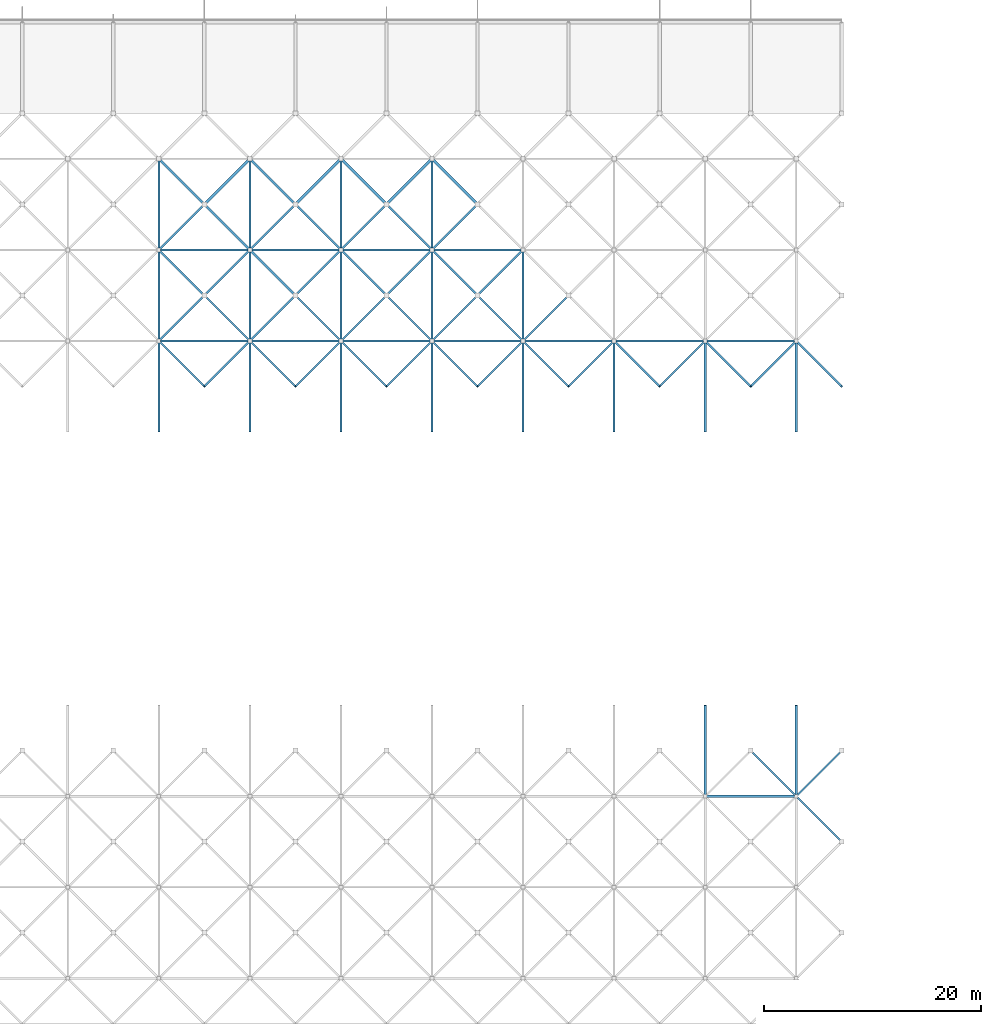
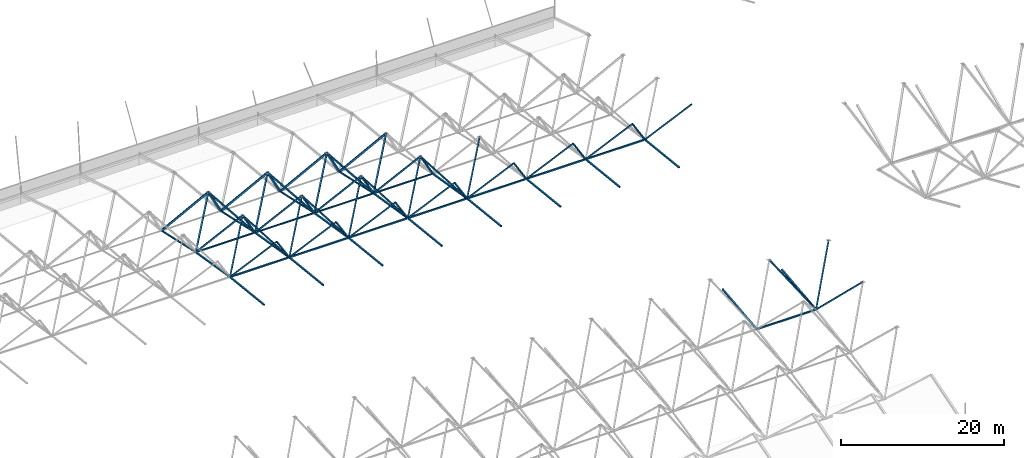
# One storey, part 21 of 85: 80 members.
"""IFC4 building model written with IfcOpenShell, lengths in metres."""

import ifcopenshell
import ifcopenshell.guid

model = None  # the IFC model being written
_history = None  # IfcOwnerHistory: only IFC2X3 demands one
_inside = {}  # id of a spatial element -> (the spatial element, [elements in it])
_under = {}  # id of a project, library or spatial element -> (it, [spatial elements below it])
_declared = {}  # id of a project -> (the project, [libraries it declares])
_typed = {}  # id of a type object -> (the type object, [elements of that type])
_made_of = {}  # id of a material, layer set ... -> (it, [elements and type objects made of it])


def new_model(schema):
    """Start an empty IFC model of exactly this schema.

    Asked for "IFC4X3", IfcOpenShell would pick the latest addendum, in which some entities
    have other attributes; the version numbers below select the first issue.
    IFC2X3 requires an IfcOwnerHistory on every rooted entity: one is made here for all.
    """
    global model, _history
    if schema == "IFC4X3":
        model = ifcopenshell.file(schema_version=(4, 3, 0, 0))
    else:
        model = ifcopenshell.file(schema=schema)
    _inside.clear()
    _under.clear()
    _declared.clear()
    _typed.clear()
    _made_of.clear()
    _history = None
    if model.schema == "IFC2X3":
        org = make("IfcOrganization", Name="unknown")
        user = make(
            "IfcPersonAndOrganization",
            ThePerson=make("IfcPerson", FamilyName="unknown"),
            TheOrganization=org,
        )
        app = make(
            "IfcApplication",
            ApplicationDeveloper=org,
            Version="unknown",
            ApplicationFullName="unknown",
            ApplicationIdentifier="unknown",
        )
        _history = make(
            "IfcOwnerHistory",
            OwningUser=user,
            OwningApplication=app,
            ChangeAction="ADDED",
            CreationDate=0,
        )
    return model


def make(cls, **values):
    """One entity of the class cls with the attributes given. An attribute that is None is left unset."""
    return model.create_entity(
        cls, **{name: value for name, value in values.items() if value is not None}
    )


def rooted(cls, **values):
    """An entity with a GlobalId (a new one), such as an element, a storey or a relation."""
    return make(cls, GlobalId=ifcopenshell.guid.new(), OwnerHistory=_history, **values)


def si_unit(unit_type, name, prefix=None):
    """IfcSIUnit, for example si_unit("LENGTHUNIT", "METRE", prefix="MILLI")."""
    return make("IfcSIUnit", UnitType=unit_type, Prefix=prefix, Name=name)


def assignment(units):
    """IfcUnitAssignment: the units of a project."""
    return None if units is None else make("IfcUnitAssignment", Units=units)


def point(xyz):
    """IfcCartesianPoint."""
    return None if xyz is None else make("IfcCartesianPoint", Coordinates=xyz)


def direction(xyz):
    """IfcDirection."""
    return None if xyz is None else make("IfcDirection", DirectionRatios=xyz)


def frame(location, z_axis=None, x_axis=None):
    """IfcAxis2Placement3D, a coordinate frame: its origin and axes. An axis left out is left unset."""
    return make(
        "IfcAxis2Placement3D",
        Location=point(location),
        Axis=direction(z_axis),
        RefDirection=direction(x_axis),
    )


def frame_2d(location, x_axis=None):
    """IfcAxis2Placement2D, a coordinate frame in the plane: its origin and x axis."""
    return make(
        "IfcAxis2Placement2D", Location=point(location), RefDirection=direction(x_axis)
    )


def origin():
    """The frame at (0, 0, 0) with its axes left unset."""
    return frame((0.0, 0.0, 0.0))


def origin_2d():
    """The frame at (0, 0) in the plane with its x axis left unset."""
    return frame_2d((0.0, 0.0))


def place(relative_to, where):
    """IfcLocalPlacement: puts the frame where relative to a parent placement (None: the world)."""
    return make(
        "IfcLocalPlacement", PlacementRelTo=relative_to, RelativePlacement=where
    )


def context(
    kind, dimensions, precision=None, world=None, true_north=None, identifier=None
):
    """IfcGeometricRepresentationContext, for example the 3D "Model" context."""
    return make(
        "IfcGeometricRepresentationContext",
        ContextIdentifier=identifier,
        ContextType=kind,
        CoordinateSpaceDimension=dimensions,
        Precision=precision,
        WorldCoordinateSystem=world,
        TrueNorth=true_north,
    )


def subcontext(parent, identifier, kind, view, scale=None):
    """IfcGeometricRepresentationSubContext, for example "Body" below "Model"."""
    return make(
        "IfcGeometricRepresentationSubContext",
        ContextIdentifier=identifier,
        ContextType=kind,
        ParentContext=parent,
        TargetScale=scale,
        TargetView=view,
    )


def project(units=None, contexts=None):
    """IfcProject with its units and contexts."""
    return rooted(
        "IfcProject",
        Name="project",
        RepresentationContexts=contexts,
        UnitsInContext=assignment(units),
    )


def spatial(cls, under=None, at=None, **own):
    """A site, building, storey or space (cls), placed at a placement, below another one or the project."""
    s = rooted(cls, ObjectPlacement=at, **own)
    if under is not None:
        _under.setdefault(under.id(), (under, []))[1].append(s)
    return s


def profile(cls, at=None, kind="AREA", **sizes):
    """A parametric profile (cls). Its sizes go by their IFC names, for example OverallWidth=200.0."""
    return make(cls, ProfileType=kind, Position=at, **sizes)


def hollow_rectangle(**sizes):
    """IfcRectangleHollowProfileDef."""
    return profile("IfcRectangleHollowProfileDef", **sizes)


def extrude(swept, where, along, depth):
    """IfcExtrudedAreaSolid: the profile swept, set in the frame where, extruded along a direction by depth."""
    return make(
        "IfcExtrudedAreaSolid",
        SweptArea=swept,
        Position=where,
        ExtrudedDirection=direction(along),
        Depth=depth,
    )


def shape(context_of_items, identifier, shape_type, items):
    """IfcShapeRepresentation: the items that make up one representation, for example the "Body"."""
    return make(
        "IfcShapeRepresentation",
        ContextOfItems=context_of_items,
        RepresentationIdentifier=identifier,
        RepresentationType=shape_type,
        Items=items,
    )


def material(Name=None, Category=None):
    """IfcMaterial."""
    return make("IfcMaterial", Name=Name, Category=Category)


def material_profile(
    of_material, cross_section, Name=None, Category=None, Priority=None
):
    """IfcMaterialProfile: a cross section and its material."""
    return make(
        "IfcMaterialProfile",
        Name=Name,
        Material=of_material,
        Profile=cross_section,
        Priority=Priority,
        Category=Category,
    )


def profile_set(profiles, Name=None, composite=None):
    """IfcMaterialProfileSet."""
    return make(
        "IfcMaterialProfileSet",
        Name=Name,
        MaterialProfiles=profiles,
        CompositeProfile=composite,
    )


def made_of(thing, what):
    """Note that an element or type object is made of a material, layer set ...; save() writes the relation."""
    if what is not None:
        _made_of.setdefault(what.id(), (what, []))[1].append(thing)
    return thing


def type_object(cls, material=None, **own):
    """A type object (cls), such as IfcWallType, which elements share."""
    return made_of(rooted(cls, **own), material)


def element(
    cls,
    number,
    at=None,
    inside=None,
    cuts=None,
    type_object=None,
    material=None,
    context=None,
    identifier="Body",
    shape_type=None,
    held_by="IfcProductDefinitionShape",
    body=None,
    shapes=None,
    **own,
):
    """One element of the class cls, such as IfcWall. Its Tag is "e" and its number.

    at: its placement. inside: the storey or other place that contains it. cuts: it is an
    opening in that element (IfcRelVoidsElement). A single representation is given by context,
    identifier, shape_type and body (its items); several are given by shapes. held_by: the class
    of the entity that holds the representations. save() writes the other relations.
    """
    e = rooted(cls, Tag="e%d" % number, ObjectPlacement=at, **own)
    if body is not None:
        shapes = [shape(context, identifier, shape_type, body)]
    if shapes is not None:
        e.Representation = make(held_by, Representations=shapes)
    if inside is not None:
        _inside.setdefault(inside.id(), (inside, []))[1].append(e)
    if cuts is not None:
        rooted(
            "IfcRelVoidsElement", RelatingBuildingElement=cuts, RelatedOpeningElement=e
        )
    if type_object is not None:
        _typed.setdefault(type_object.id(), (type_object, []))[1].append(e)
    return made_of(e, material)


def aggregate(whole, parts):
    """IfcRelAggregates: a whole, such as a stair, and the parts it consists of."""
    return rooted("IfcRelAggregates", RelatingObject=whole, RelatedObjects=parts)


def save(model, path):
    """Write the relations noted so far, then the file.

    IfcRelAggregates (storeys below a building ...), IfcRelContainedInSpatialStructure (elements
    in a storey), IfcRelDefinesByType, IfcRelAssociatesMaterial and IfcRelDeclares: one each for
    every whole, place, type object, material and project.
    """
    for whole, parts in _under.values():
        aggregate(whole, parts)
    for where, things in _inside.values():
        rooted(
            "IfcRelContainedInSpatialStructure",
            RelatedElements=things,
            RelatingStructure=where,
        )
    for kind, things in _typed.values():
        rooted("IfcRelDefinesByType", RelatedObjects=things, RelatingType=kind)
    for what, things in _made_of.values():
        rooted("IfcRelAssociatesMaterial", RelatedObjects=things, RelatingMaterial=what)
    for by, libraries in _declared.values():
        rooted("IfcRelDeclares", RelatingContext=by, RelatedDefinitions=libraries)
    model.write(path)


model = new_model("IFC4")

# Units and contexts
model_context = context("Model", 3, precision=1e-05, world=origin(), true_north=direction((0.0, 1.0)))
body_context = subcontext(model_context, "Body", "Model", "MODEL_VIEW")
ifc_project = project(units=[si_unit("LENGTHUNIT", "METRE"), si_unit("AREAUNIT", "SQUARE_METRE"), si_unit("VOLUMEUNIT", "CUBIC_METRE"), si_unit("PLANEANGLEUNIT", "RADIAN"), si_unit("MASSUNIT", "GRAM", prefix="KILO")], contexts=[model_context])

# Site, building, storey
site_placement = place(None, origin())
site = spatial("IfcSite", under=ifc_project, at=site_placement, CompositionType="ELEMENT")
building_placement = place(site_placement, origin())
building = spatial("IfcBuilding", under=site, at=building_placement, Name="Rain Tree Exposition and Congress Centre", CompositionType="ELEMENT")
storey_placement = place(building_placement, frame((0.0, 0.0, 15.0)))
storey = spatial("IfcBuildingStorey", under=building, at=storey_placement, Name="L03", CompositionType="ELEMENT", Elevation=15.0)

# Members
ifc_material_1 = material(Name="Steel S355J2H", Category="steel")
ifc_material_profile_1 = material_profile(ifc_material_1, hollow_rectangle(XDim=0.175048828125, YDim=0.175048828125, WallThickness=0.006103515625, at=origin_2d()), Name="RHS 175x175x6")
ifc_profile_set_1 = profile_set([ifc_material_profile_1], Name="Steel S355J2H")
member_type_1 = type_object("IfcMemberType", Name="Steel brace member RHS 175x175x6", PredefinedType="BRACE", material=ifc_profile_set_1)
member_1_placement = place(storey_placement, frame((121.800048828125, 130.199951171875, 3.974609375), z_axis=(0.531205549126, -0.531205549126, 0.660031309223), x_axis=(0.707106781187, 0.707106781187, 0.0)))
element("IfcMember", 1, at=member_1_placement, inside=storey, type_object=member_type_1, Name="Diagonal 691", PredefinedType="BRACE", context=body_context, shape_type="SweptSolid", body=[
    extrude(hollow_rectangle(XDim=0.175048828125, YDim=0.175048828125, WallThickness=0.006103515625, at=origin_2d()), origin(), (0.0, 0.0, 1.0), 7.906494140625),
])
for number, where, z_axis, x_axis, name in (
    (2, (121.800048828125, 130.199951171875, 3.974609375), (-0.48244694752, 0.48244694752, 0.73108815177), (-0.707106781187, -0.707106781187, 0.0), "Diagonal 692"),
    (3, (121.800048828125, 130.199951171875, 3.974609375), (0.48244694752, 0.48244694752, 0.73108815177), (-0.707106781187, 0.707106781187, 0.0), "Diagonal 693"),
    (4, (63.0, 172.199951171875, 3.974609375), (0.48244694752, -0.48244694752, 0.73108815177), (0.707106781187, 0.707106781187, 0.0), "Diagonal 1064"),
):
    element("IfcMember", number, at=place(storey_placement, frame(where, z_axis=z_axis, x_axis=x_axis)), inside=storey, type_object=member_type_1, Name=name, PredefinedType="BRACE", context=body_context, shape_type="SweptSolid", body=[
        extrude(hollow_rectangle(XDim=0.175048828125, YDim=0.175048828125, WallThickness=0.006103515625, at=origin_2d()), origin(), (0.0, 0.0, 1.0), 8.70556640625),
    ])
member_2_placement = place(storey_placement, frame((63.0, 172.199951171875, 3.974609375), z_axis=(0.531205549126, 0.531205549126, 0.660031309223), x_axis=(-0.707106781187, 0.707106781187, 0.0)))
element("IfcMember", 5, at=member_2_placement, inside=storey, type_object=member_type_1, Name="Diagonal 1066", PredefinedType="BRACE", context=body_context, shape_type="SweptSolid", body=[
    extrude(hollow_rectangle(XDim=0.175048828125, YDim=0.175048828125, WallThickness=0.006103515625, at=origin_2d()), origin(), (0.0, 0.0, 1.0), 7.906494140625),
])
for number, where, z_axis, x_axis, name in (
    (6, (71.39990234375, 172.199951171875, 3.974609375), (-0.48244694752, -0.48244694752, 0.73108815177), (0.707106781187, -0.707106781187, 0.0), "Diagonal 1069"),
    (7, (71.39990234375, 172.199951171875, 3.974609375), (0.482468463969, -0.482440419998, 0.731078260125), (0.70708622964, 0.707127332136, 0.0), "Diagonal 1070"),
):
    element("IfcMember", number, at=place(storey_placement, frame(where, z_axis=z_axis, x_axis=x_axis)), inside=storey, type_object=member_type_1, Name=name, PredefinedType="BRACE", context=body_context, shape_type="SweptSolid", body=[
        extrude(hollow_rectangle(XDim=0.175048828125, YDim=0.175048828125, WallThickness=0.006103515625, at=origin_2d()), origin(), (0.0, 0.0, 1.0), 8.70556640625),
    ])
for number, where, z_axis, x_axis, name in (
    (8, (71.39990234375, 172.199951171875, 3.974609375), (-0.531205549126, 0.531205549126, 0.660031309223), (-0.707106781187, -0.707106781187, 0.0), "Diagonal 1071"),
    (9, (71.39990234375, 172.199951171875, 3.974609375), (0.531227713919, 0.531196835768, 0.660020482738), (-0.70708622964, 0.707127332136, 0.0), "Diagonal 1072"),
):
    element("IfcMember", number, at=place(storey_placement, frame(where, z_axis=z_axis, x_axis=x_axis)), inside=storey, type_object=member_type_1, Name=name, PredefinedType="BRACE", context=body_context, shape_type="SweptSolid", body=[
        extrude(hollow_rectangle(XDim=0.175048828125, YDim=0.175048828125, WallThickness=0.006103515625, at=origin_2d()), origin(), (0.0, 0.0, 1.0), 7.906494140625),
    ])
for number, where, z_axis, x_axis, name in (
    (10, (79.800048828125, 172.199951171875, 3.974609375), (-0.48244694752, -0.48244694752, 0.73108815177), (0.707106781187, -0.707106781187, 0.0), "Diagonal 1075"),
    (11, (79.800048828125, 172.199951171875, 3.974609375), (0.48244694752, -0.48244694752, 0.73108815177), (0.707106781187, 0.707106781187, 0.0), "Diagonal 1076"),
):
    element("IfcMember", number, at=place(storey_placement, frame(where, z_axis=z_axis, x_axis=x_axis)), inside=storey, type_object=member_type_1, Name=name, PredefinedType="BRACE", context=body_context, shape_type="SweptSolid", body=[
        extrude(hollow_rectangle(XDim=0.175048828125, YDim=0.175048828125, WallThickness=0.006103515625, at=origin_2d()), origin(), (0.0, 0.0, 1.0), 8.70556640625),
    ])
for number, where, z_axis, x_axis, name in (
    (12, (79.800048828125, 172.199951171875, 3.974609375), (-0.531205549126, 0.531205549126, 0.660031309223), (-0.707106781187, -0.707106781187, 0.0), "Diagonal 1077"),
    (13, (79.800048828125, 172.199951171875, 3.974609375), (0.531205549126, 0.531205549126, 0.660031309223), (-0.707106781187, 0.707106781187, 0.0), "Diagonal 1078"),
):
    element("IfcMember", number, at=place(storey_placement, frame(where, z_axis=z_axis, x_axis=x_axis)), inside=storey, type_object=member_type_1, Name=name, PredefinedType="BRACE", context=body_context, shape_type="SweptSolid", body=[
        extrude(hollow_rectangle(XDim=0.175048828125, YDim=0.175048828125, WallThickness=0.006103515625, at=origin_2d()), origin(), (0.0, 0.0, 1.0), 7.906494140625),
    ])
for number, where, z_axis, x_axis, name in (
    (14, (88.199951171875, 172.199951171875, 3.974609375), (-0.48244694752, -0.48244694752, 0.73108815177), (0.707106781187, -0.707106781187, 0.0), "Diagonal 1081"),
    (15, (88.199951171875, 172.199951171875, 3.974609375), (0.48244694752, -0.48244694752, 0.73108815177), (0.707106781187, 0.707106781187, 0.0), "Diagonal 1082"),
):
    element("IfcMember", number, at=place(storey_placement, frame(where, z_axis=z_axis, x_axis=x_axis)), inside=storey, type_object=member_type_1, Name=name, PredefinedType="BRACE", context=body_context, shape_type="SweptSolid", body=[
        extrude(hollow_rectangle(XDim=0.175048828125, YDim=0.175048828125, WallThickness=0.006103515625, at=origin_2d()), origin(), (0.0, 0.0, 1.0), 8.70556640625),
    ])
for number, where, z_axis, x_axis, name in (
    (16, (88.199951171875, 172.199951171875, 3.974609375), (-0.531205549126, 0.531205549126, 0.660031309223), (-0.707106781187, -0.707106781187, 0.0), "Diagonal 1083"),
    (17, (88.199951171875, 172.199951171875, 3.974609375), (0.531205549126, 0.531205549126, 0.660031309223), (-0.707106781187, 0.707106781187, 0.0), "Diagonal 1084"),
):
    element("IfcMember", number, at=place(storey_placement, frame(where, z_axis=z_axis, x_axis=x_axis)), inside=storey, type_object=member_type_1, Name=name, PredefinedType="BRACE", context=body_context, shape_type="SweptSolid", body=[
        extrude(hollow_rectangle(XDim=0.175048828125, YDim=0.175048828125, WallThickness=0.006103515625, at=origin_2d()), origin(), (0.0, 0.0, 1.0), 7.906494140625),
    ])
for number, where, z_axis, x_axis, name in (
    (18, (96.60009765625, 172.199951171875, 3.974609375), (-0.482468463969, -0.482440419998, 0.731078260125), (0.70708622964, -0.707127332136, 0.0), "Diagonal 1087"),
    (19, (96.60009765625, 172.199951171875, 3.974609375), (0.48244694752, -0.48244694752, 0.73108815177), (0.707106781187, 0.707106781187, 0.0), "Diagonal 1088"),
):
    element("IfcMember", number, at=place(storey_placement, frame(where, z_axis=z_axis, x_axis=x_axis)), inside=storey, type_object=member_type_1, Name=name, PredefinedType="BRACE", context=body_context, shape_type="SweptSolid", body=[
        extrude(hollow_rectangle(XDim=0.175048828125, YDim=0.175048828125, WallThickness=0.006103515625, at=origin_2d()), origin(), (0.0, 0.0, 1.0), 8.70556640625),
    ])
for number, where, z_axis, x_axis, name in (
    (20, (96.60009765625, 172.199951171875, 3.974609375), (-0.531227713919, 0.531196835768, 0.660020482738), (-0.70708622964, -0.707127332136, 0.0), "Diagonal 1089"),
    (21, (96.60009765625, 172.199951171875, 3.974609375), (0.531205549126, 0.531205549126, 0.660031309223), (-0.707106781187, 0.707106781187, 0.0), "Diagonal 1090"),
):
    element("IfcMember", number, at=place(storey_placement, frame(where, z_axis=z_axis, x_axis=x_axis)), inside=storey, type_object=member_type_1, Name=name, PredefinedType="BRACE", context=body_context, shape_type="SweptSolid", body=[
        extrude(hollow_rectangle(XDim=0.175048828125, YDim=0.175048828125, WallThickness=0.006103515625, at=origin_2d()), origin(), (0.0, 0.0, 1.0), 7.906494140625),
    ])
for number, where, z_axis, x_axis, name in (
    (22, (105.0, 172.199951171875, 3.974609375), (-0.48244694752, -0.48244694752, 0.73108815177), (0.707106781187, -0.707106781187, 0.0), "Diagonal 1093"),
    (23, (105.0, 172.199951171875, 3.974609375), (0.48244694752, -0.48244694752, 0.73108815177), (0.707106781187, 0.707106781187, 0.0), "Diagonal 1094"),
    (24, (113.39990234375, 172.199951171875, 3.974609375), (-0.48244694752, -0.48244694752, 0.73108815177), (0.707106781187, -0.707106781187, 0.0), "Diagonal 1099"),
    (25, (113.39990234375, 172.199951171875, 3.974609375), (0.482468463969, -0.482440419998, 0.731078260125), (0.70708622964, 0.707127332136, 0.0), "Diagonal 1100"),
    (26, (121.800048828125, 172.199951171875, 3.974609375), (-0.48244694752, -0.48244694752, 0.73108815177), (0.707106781187, -0.707106781187, 0.0), "Diagonal 1105"),
    (27, (121.800048828125, 172.199951171875, 3.974609375), (0.48244694752, -0.48244694752, 0.73108815177), (0.707106781187, 0.707106781187, 0.0), "Diagonal 1106"),
):
    element("IfcMember", number, at=place(storey_placement, frame(where, z_axis=z_axis, x_axis=x_axis)), inside=storey, type_object=member_type_1, Name=name, PredefinedType="BRACE", context=body_context, shape_type="SweptSolid", body=[
        extrude(hollow_rectangle(XDim=0.175048828125, YDim=0.175048828125, WallThickness=0.006103515625, at=origin_2d()), origin(), (0.0, 0.0, 1.0), 8.70556640625),
    ])
ifc_material_2 = material(Name="Steel S355J2H", Category="steel")
ifc_material_profile_2 = material_profile(ifc_material_2, hollow_rectangle(XDim=0.199951171875, YDim=0.199951171875, WallThickness=0.009033203125, at=origin_2d()), Name="RHS 200x200x9")
ifc_profile_set_2 = profile_set([ifc_material_profile_2], Name="Steel S355J2H")
member_type_2 = type_object("IfcMemberType", Name="Steel brace member RHS 200x200x9", PredefinedType="BRACE", material=ifc_profile_set_2)
member_3_placement = place(storey_placement, frame((63.0, 180.60009765625, 2.593505859375), z_axis=(0.473022442189, -0.473049938698, 0.743285627928), x_axis=(0.707127332136, 0.70708622964, 0.0)))
element("IfcMember", 28, at=member_3_placement, inside=storey, type_object=member_type_2, Name="Diagonal 1147", PredefinedType="BRACE", context=body_context, shape_type="SweptSolid", body=[
    extrude(hollow_rectangle(XDim=0.199951171875, YDim=0.199951171875, WallThickness=0.009033203125, at=origin_2d()), origin(), (0.0, 0.0, 1.0), 8.87890625),
])
member_4_placement = place(storey_placement, frame((63.0, 180.60009765625, 2.593505859375), z_axis=(0.541820128628, 0.541820128628, 0.642543303153), x_axis=(-0.707106781187, 0.707106781187, 0.0)))
element("IfcMember", 29, at=member_4_placement, inside=storey, type_object=member_type_2, Name="Diagonal 1149", PredefinedType="BRACE", context=body_context, shape_type="SweptSolid", body=[
    extrude(hollow_rectangle(XDim=0.199951171875, YDim=0.199951171875, WallThickness=0.009033203125, at=origin_2d()), origin(), (0.0, 0.0, 1.0), 7.75146484375),
])
member_5_placement = place(storey_placement, frame((71.39990234375, 180.60009765625, 2.593505859375), z_axis=(-0.473022442189, -0.473049938698, 0.743285627928), x_axis=(0.707127332136, -0.70708622964, 0.0)))
element("IfcMember", 30, at=member_5_placement, inside=storey, type_object=member_type_2, Name="Diagonal 1152", PredefinedType="BRACE", context=body_context, shape_type="SweptSolid", body=[
    extrude(hollow_rectangle(XDim=0.199951171875, YDim=0.199951171875, WallThickness=0.009033203125, at=origin_2d()), origin(), (0.0, 0.0, 1.0), 8.87890625),
])
member_6_placement = place(storey_placement, frame((71.39990234375, 180.60009765625, 2.593505859375), z_axis=(0.473043785931, -0.473043785931, 0.743275960316), x_axis=(0.707106781187, 0.707106781187, 0.0)))
element("IfcMember", 31, at=member_6_placement, inside=storey, type_object=member_type_2, Name="Diagonal 1153", PredefinedType="BRACE", context=body_context, shape_type="SweptSolid", body=[
    extrude(hollow_rectangle(XDim=0.199951171875, YDim=0.199951171875, WallThickness=0.009033203125, at=origin_2d()), origin(), (0.0, 0.0, 1.0), 8.879150390625),
])
member_7_placement = place(storey_placement, frame((71.39990234375, 180.60009765625, 2.593505859375), z_axis=(-0.541820128628, 0.541820128628, 0.642543303153), x_axis=(-0.707106781187, -0.707106781187, 0.0)))
element("IfcMember", 32, at=member_7_placement, inside=storey, type_object=member_type_2, Name="Diagonal 1154", PredefinedType="BRACE", context=body_context, shape_type="SweptSolid", body=[
    extrude(hollow_rectangle(XDim=0.199951171875, YDim=0.199951171875, WallThickness=0.009033203125, at=origin_2d()), origin(), (0.0, 0.0, 1.0), 7.75146484375),
])
member_8_placement = place(storey_placement, frame((71.39990234375, 180.60009765625, 2.593505859375), z_axis=(0.541842377579, 0.54181088244, 0.642532338119), x_axis=(-0.70708622964, 0.707127332136, 0.0)))
element("IfcMember", 33, at=member_8_placement, inside=storey, type_object=member_type_2, Name="Diagonal 1155", PredefinedType="BRACE", context=body_context, shape_type="SweptSolid", body=[
    extrude(hollow_rectangle(XDim=0.199951171875, YDim=0.199951171875, WallThickness=0.009033203125, at=origin_2d()), origin(), (0.0, 0.0, 1.0), 7.751708984375),
])
for number, where, z_axis, x_axis, name in (
    (34, (79.800048828125, 180.60009765625, 2.593505859375), (-0.473022442189, -0.473049938698, 0.743285627928), (0.707127332136, -0.70708622964, 0.0), "Diagonal 1158"),
    (35, (79.800048828125, 180.60009765625, 2.593505859375), (0.473022442189, -0.473049938698, 0.743285627928), (0.707127332136, 0.70708622964, 0.0), "Diagonal 1159"),
):
    element("IfcMember", number, at=place(storey_placement, frame(where, z_axis=z_axis, x_axis=x_axis)), inside=storey, type_object=member_type_2, Name=name, PredefinedType="BRACE", context=body_context, shape_type="SweptSolid", body=[
        extrude(hollow_rectangle(XDim=0.199951171875, YDim=0.199951171875, WallThickness=0.009033203125, at=origin_2d()), origin(), (0.0, 0.0, 1.0), 8.87890625),
    ])
for number, where, z_axis, x_axis, name in (
    (36, (79.800048828125, 180.60009765625, 2.593505859375), (-0.541820128628, 0.541820128628, 0.642543303153), (-0.707106781187, -0.707106781187, 0.0), "Diagonal 1160"),
    (37, (79.800048828125, 180.60009765625, 2.593505859375), (0.541820128628, 0.541820128628, 0.642543303153), (-0.707106781187, 0.707106781187, 0.0), "Diagonal 1161"),
):
    element("IfcMember", number, at=place(storey_placement, frame(where, z_axis=z_axis, x_axis=x_axis)), inside=storey, type_object=member_type_2, Name=name, PredefinedType="BRACE", context=body_context, shape_type="SweptSolid", body=[
        extrude(hollow_rectangle(XDim=0.199951171875, YDim=0.199951171875, WallThickness=0.009033203125, at=origin_2d()), origin(), (0.0, 0.0, 1.0), 7.75146484375),
    ])
for number, where, z_axis, x_axis, name in (
    (38, (88.199951171875, 180.60009765625, 2.593505859375), (-0.473022442189, -0.473049938698, 0.743285627928), (0.707127332136, -0.70708622964, 0.0), "Diagonal 1164"),
    (39, (88.199951171875, 180.60009765625, 2.593505859375), (0.473022442189, -0.473049938698, 0.743285627928), (0.707127332136, 0.70708622964, 0.0), "Diagonal 1165"),
):
    element("IfcMember", number, at=place(storey_placement, frame(where, z_axis=z_axis, x_axis=x_axis)), inside=storey, type_object=member_type_2, Name=name, PredefinedType="BRACE", context=body_context, shape_type="SweptSolid", body=[
        extrude(hollow_rectangle(XDim=0.199951171875, YDim=0.199951171875, WallThickness=0.009033203125, at=origin_2d()), origin(), (0.0, 0.0, 1.0), 8.87890625),
    ])
for number, where, z_axis, x_axis, name in (
    (40, (88.199951171875, 180.60009765625, 2.593505859375), (-0.541820128628, 0.541820128628, 0.642543303153), (-0.707106781187, -0.707106781187, 0.0), "Diagonal 1166"),
    (41, (88.199951171875, 180.60009765625, 2.593505859375), (0.541820128628, 0.541820128628, 0.642543303153), (-0.707106781187, 0.707106781187, 0.0), "Diagonal 1167"),
):
    element("IfcMember", number, at=place(storey_placement, frame(where, z_axis=z_axis, x_axis=x_axis)), inside=storey, type_object=member_type_2, Name=name, PredefinedType="BRACE", context=body_context, shape_type="SweptSolid", body=[
        extrude(hollow_rectangle(XDim=0.199951171875, YDim=0.199951171875, WallThickness=0.009033203125, at=origin_2d()), origin(), (0.0, 0.0, 1.0), 7.75146484375),
    ])
member_9_placement = place(storey_placement, frame((96.60009765625, 180.60009765625, 2.593505859375), z_axis=(-0.473043785931, -0.473043785931, 0.743275960316), x_axis=(0.707106781187, -0.707106781187, 0.0)))
element("IfcMember", 42, at=member_9_placement, inside=storey, type_object=member_type_2, Name="Diagonal 1170", PredefinedType="BRACE", context=body_context, shape_type="SweptSolid", body=[
    extrude(hollow_rectangle(XDim=0.199951171875, YDim=0.199951171875, WallThickness=0.009033203125, at=origin_2d()), origin(), (0.0, 0.0, 1.0), 8.879150390625),
])
ifc_material_3 = material(Name="Steel S355J2H", Category="steel")
ifc_material_profile_3 = material_profile(ifc_material_3, hollow_rectangle(XDim=0.25, YDim=0.25, WallThickness=0.006103515625, at=origin_2d()), Name="RHS 250x250x6")
ifc_profile_set_3 = profile_set([ifc_material_profile_3], Name="Steel S355J2H")
member_type_3 = type_object("IfcMemberType", Name="Steel brace member RHS 250x250x6", PredefinedType="BRACE", material=ifc_profile_set_3)
for number, where, z_axis, x_axis, name in (
    (43, (63.0, 189.0, 0.732666015625), (0.463563926235, -0.463563926235, 0.755127123461), (0.707106781187, 0.707106781187, 0.0), "Diagonal 1230"),
    (44, (71.39990234375, 189.0, 0.732666015625), (-0.463563926235, -0.463563926235, 0.755127123461), (0.707106781187, -0.707106781187, 0.0), "Diagonal 1235"),
):
    element("IfcMember", number, at=place(storey_placement, frame(where, z_axis=z_axis, x_axis=x_axis)), inside=storey, type_object=member_type_3, Name=name, PredefinedType="BRACE", context=body_context, shape_type="SweptSolid", body=[
        extrude(hollow_rectangle(XDim=0.25, YDim=0.25, WallThickness=0.006103515625, at=origin_2d()), origin(), (0.0, 0.0, 1.0), 9.06005859375),
    ])
member_10_placement = place(storey_placement, frame((71.39990234375, 189.0, 0.732666015625), z_axis=(0.463585081915, -0.46355813556, 0.755117690682), x_axis=(0.70708622964, 0.707127332136, 0.0)))
element("IfcMember", 45, at=member_10_placement, inside=storey, type_object=member_type_3, Name="Diagonal 1236", PredefinedType="BRACE", context=body_context, shape_type="SweptSolid", body=[
    extrude(hollow_rectangle(XDim=0.25, YDim=0.25, WallThickness=0.006103515625, at=origin_2d()), origin(), (0.0, 0.0, 1.0), 9.060302734375),
])
for number, where, z_axis, x_axis, name in (
    (46, (79.800048828125, 189.0, 0.732666015625), (-0.463563926235, -0.463563926235, 0.755127123461), (0.707106781187, -0.707106781187, 0.0), "Diagonal 1241"),
    (47, (79.800048828125, 189.0, 0.732666015625), (0.463563926235, -0.463563926235, 0.755127123461), (0.707106781187, 0.707106781187, 0.0), "Diagonal 1242"),
    (48, (88.199951171875, 189.0, 0.732666015625), (-0.463563926235, -0.463563926235, 0.755127123461), (0.707106781187, -0.707106781187, 0.0), "Diagonal 1247"),
    (49, (88.199951171875, 189.0, 0.732666015625), (0.463563926235, -0.463563926235, 0.755127123461), (0.707106781187, 0.707106781187, 0.0), "Diagonal 1248"),
):
    element("IfcMember", number, at=place(storey_placement, frame(where, z_axis=z_axis, x_axis=x_axis)), inside=storey, type_object=member_type_3, Name=name, PredefinedType="BRACE", context=body_context, shape_type="SweptSolid", body=[
        extrude(hollow_rectangle(XDim=0.25, YDim=0.25, WallThickness=0.006103515625, at=origin_2d()), origin(), (0.0, 0.0, 1.0), 9.06005859375),
    ])
ifc_material_4 = material(Name="Steel S355J2H", Category="steel")
ifc_material_profile_4 = material_profile(ifc_material_4, hollow_rectangle(XDim=0.175048828125, YDim=0.175048828125, WallThickness=0.006103515625, at=origin_2d()), Name="RHS 175x175x6")
ifc_profile_set_4 = profile_set([ifc_material_profile_4], Name="Steel S355J2H")
member_type_4 = type_object("IfcMemberType", Name="Steel chord member RHS 175x175x6", PredefinedType="CHORD", material=ifc_profile_set_4)
member_11_placement = place(storey_placement, frame((63.0, 180.60009765625, 2.593505859375), z_axis=(1.0, 0.0, 0.0), x_axis=(0.0, 1.0, 0.0)))
element("IfcMember", 50, at=member_11_placement, inside=storey, type_object=member_type_4, Name="Bottom chord 1150", PredefinedType="CHORD", context=body_context, shape_type="SweptSolid", body=[
    extrude(hollow_rectangle(XDim=0.175048828125, YDim=0.175048828125, WallThickness=0.006103515625, at=origin_2d()), origin(), (0.0, 0.0, 1.0), 8.39990234375),
])
member_12_placement = place(storey_placement, frame((63.0, 180.60009765625, 2.593505859375), z_axis=(0.0, 0.976329733604, -0.21628742747), x_axis=(-1.0, 0.0, 0.0)))
element("IfcMember", 51, at=member_12_placement, inside=storey, type_object=member_type_4, Name="Bottom chord 1151", PredefinedType="CHORD", context=body_context, shape_type="SweptSolid", body=[
    extrude(hollow_rectangle(XDim=0.175048828125, YDim=0.175048828125, WallThickness=0.006103515625, at=origin_2d()), origin(), (0.0, 0.0, 1.0), 8.603515625),
])
member_13_placement = place(storey_placement, frame((71.39990234375, 180.60009765625, 2.593505859375), z_axis=(1.0, 0.0, 0.0), x_axis=(0.0, 1.0, 0.0)))
element("IfcMember", 52, at=member_13_placement, inside=storey, type_object=member_type_4, Name="Bottom chord 1156", PredefinedType="CHORD", context=body_context, shape_type="SweptSolid", body=[
    extrude(hollow_rectangle(XDim=0.175048828125, YDim=0.175048828125, WallThickness=0.006103515625, at=origin_2d()), origin(), (0.0, 0.0, 1.0), 8.400146484375),
])
member_14_placement = place(storey_placement, frame((71.39990234375, 180.60009765625, 2.593505859375), z_axis=(0.0, 0.976329733604, -0.21628742747), x_axis=(-1.0, 0.0, 0.0)))
element("IfcMember", 53, at=member_14_placement, inside=storey, type_object=member_type_4, Name="Bottom chord 1157", PredefinedType="CHORD", context=body_context, shape_type="SweptSolid", body=[
    extrude(hollow_rectangle(XDim=0.175048828125, YDim=0.175048828125, WallThickness=0.006103515625, at=origin_2d()), origin(), (0.0, 0.0, 1.0), 8.603515625),
])
member_15_placement = place(storey_placement, frame((79.800048828125, 180.60009765625, 2.593505859375), z_axis=(1.0, 0.0, 0.0), x_axis=(0.0, 1.0, 0.0)))
element("IfcMember", 54, at=member_15_placement, inside=storey, type_object=member_type_4, Name="Bottom chord 1162", PredefinedType="CHORD", context=body_context, shape_type="SweptSolid", body=[
    extrude(hollow_rectangle(XDim=0.175048828125, YDim=0.175048828125, WallThickness=0.006103515625, at=origin_2d()), origin(), (0.0, 0.0, 1.0), 8.39990234375),
])
member_16_placement = place(storey_placement, frame((79.800048828125, 180.60009765625, 2.593505859375), z_axis=(0.0, 0.976329733604, -0.21628742747), x_axis=(-1.0, 0.0, 0.0)))
element("IfcMember", 55, at=member_16_placement, inside=storey, type_object=member_type_4, Name="Bottom chord 1163", PredefinedType="CHORD", context=body_context, shape_type="SweptSolid", body=[
    extrude(hollow_rectangle(XDim=0.175048828125, YDim=0.175048828125, WallThickness=0.006103515625, at=origin_2d()), origin(), (0.0, 0.0, 1.0), 8.603515625),
])
member_17_placement = place(storey_placement, frame((88.199951171875, 180.60009765625, 2.593505859375), z_axis=(1.0, 0.0, 0.0), x_axis=(0.0, 1.0, 0.0)))
element("IfcMember", 56, at=member_17_placement, inside=storey, type_object=member_type_4, Name="Bottom chord 1168", PredefinedType="CHORD", context=body_context, shape_type="SweptSolid", body=[
    extrude(hollow_rectangle(XDim=0.175048828125, YDim=0.175048828125, WallThickness=0.006103515625, at=origin_2d()), origin(), (0.0, 0.0, 1.0), 8.400146484375),
])
member_18_placement = place(storey_placement, frame((88.199951171875, 180.60009765625, 2.593505859375), z_axis=(0.0, 0.976329733604, -0.21628742747), x_axis=(-1.0, 0.0, 0.0)))
element("IfcMember", 57, at=member_18_placement, inside=storey, type_object=member_type_4, Name="Bottom chord 1169", PredefinedType="CHORD", context=body_context, shape_type="SweptSolid", body=[
    extrude(hollow_rectangle(XDim=0.175048828125, YDim=0.175048828125, WallThickness=0.006103515625, at=origin_2d()), origin(), (0.0, 0.0, 1.0), 8.603515625),
])
ifc_material_5 = material(Name="Steel S355J2H", Category="steel")
ifc_material_profile_5 = material_profile(ifc_material_5, hollow_rectangle(XDim=0.199951171875, YDim=0.199951171875, WallThickness=0.009033203125, at=origin_2d()), Name="RHS 200x200x9")
ifc_profile_set_5 = profile_set([ifc_material_profile_5], Name="Steel S355J2H")
member_type_5 = type_object("IfcMemberType", Name="Steel chord member RHS 200x200x9", PredefinedType="CHORD", material=ifc_profile_set_5)
member_19_placement = place(storey_placement, frame((113.39990234375, 130.199951171875, 3.974609375), z_axis=(1.0, 0.0, 0.0), x_axis=(0.0, 1.0, 0.0)))
element("IfcMember", 58, at=member_19_placement, inside=storey, type_object=member_type_5, Name="Bottom chord 688", PredefinedType="CHORD", context=body_context, shape_type="SweptSolid", body=[
    extrude(hollow_rectangle(XDim=0.199951171875, YDim=0.199951171875, WallThickness=0.009033203125, at=origin_2d()), origin(), (0.0, 0.0, 1.0), 8.400146484375),
])
for number, where, z_axis, x_axis, name in (
    (59, (113.39990234375, 130.199951171875, 3.974609375), (0.0, 0.994137916016, 0.108119396685), (-1.0, 0.0, 0.0), "Bottom chord 689"),
    (60, (121.800048828125, 130.199951171875, 3.974609375), (0.0, 0.994137916016, 0.108119396685), (-1.0, 0.0, 0.0), "Bottom chord 694"),
):
    element("IfcMember", number, at=place(storey_placement, frame(where, z_axis=z_axis, x_axis=x_axis)), inside=storey, type_object=member_type_5, Name=name, PredefinedType="CHORD", context=body_context, shape_type="SweptSolid", body=[
        extrude(hollow_rectangle(XDim=0.199951171875, YDim=0.199951171875, WallThickness=0.009033203125, at=origin_2d()), origin(), (0.0, 0.0, 1.0), 8.44970703125),
    ])
for number, where, z_axis, x_axis, name in (
    (61, (63.0, 163.800048828125, 4.88818359375), (0.0, 0.994137578242, -0.108122502406), (-1.0, 0.0, 0.0), "Bottom chord 985"),
    (62, (71.39990234375, 163.800048828125, 4.88818359375), (0.0, 0.994137578242, -0.108122502406), (-1.0, 0.0, 0.0), "Bottom chord 991"),
    (63, (79.800048828125, 163.800048828125, 4.88818359375), (0.0, 0.994137578242, -0.108122502406), (-1.0, 0.0, 0.0), "Bottom chord 997"),
    (64, (88.199951171875, 163.800048828125, 4.88818359375), (0.0, 0.994137578242, -0.108122502406), (-1.0, 0.0, 0.0), "Bottom chord 1003"),
    (65, (96.60009765625, 163.800048828125, 4.88818359375), (0.0, 0.994137578242, -0.108122502406), (-1.0, 0.0, 0.0), "Bottom chord 1009"),
    (66, (105.0, 163.800048828125, 4.88818359375), (0.0, 0.994137578242, -0.108122502406), (-1.0, 0.0, 0.0), "Bottom chord 1015"),
    (67, (113.39990234375, 163.800048828125, 4.88818359375), (0.0, 0.994137578242, -0.108122502406), (-1.0, 0.0, 0.0), "Bottom chord 1021"),
    (68, (121.800048828125, 163.800048828125, 4.88818359375), (0.0, 0.994137578242, -0.108122502406), (-1.0, 0.0, 0.0), "Bottom chord 1026"),
):
    element("IfcMember", number, at=place(storey_placement, frame(where, z_axis=z_axis, x_axis=x_axis)), inside=storey, type_object=member_type_5, Name=name, PredefinedType="CHORD", context=body_context, shape_type="SweptSolid", body=[
        extrude(hollow_rectangle(XDim=0.199951171875, YDim=0.199951171875, WallThickness=0.009033203125, at=origin_2d()), origin(), (0.0, 0.0, 1.0), 8.449462890625),
    ])
member_20_placement = place(storey_placement, frame((63.0, 172.199951171875, 3.974609375), z_axis=(1.0, 0.0, 0.0), x_axis=(0.0, 1.0, 0.0)))
element("IfcMember", 69, at=member_20_placement, inside=storey, type_object=member_type_5, Name="Bottom chord 1067", PredefinedType="CHORD", context=body_context, shape_type="SweptSolid", body=[
    extrude(hollow_rectangle(XDim=0.199951171875, YDim=0.199951171875, WallThickness=0.009033203125, at=origin_2d()), origin(), (0.0, 0.0, 1.0), 8.39990234375),
])
member_21_placement = place(storey_placement, frame((63.0, 172.199951171875, 3.974609375), z_axis=(0.0, 0.986751976232, -0.162236054569), x_axis=(-1.0, 0.0, 0.0)))
element("IfcMember", 70, at=member_21_placement, inside=storey, type_object=member_type_5, Name="Bottom chord 1068", PredefinedType="CHORD", context=body_context, shape_type="SweptSolid", body=[
    extrude(hollow_rectangle(XDim=0.199951171875, YDim=0.199951171875, WallThickness=0.009033203125, at=origin_2d()), origin(), (0.0, 0.0, 1.0), 8.512939453125),
])
member_22_placement = place(storey_placement, frame((71.39990234375, 172.199951171875, 3.974609375), z_axis=(1.0, 0.0, 0.0), x_axis=(0.0, 1.0, 0.0)))
element("IfcMember", 71, at=member_22_placement, inside=storey, type_object=member_type_5, Name="Bottom chord 1073", PredefinedType="CHORD", context=body_context, shape_type="SweptSolid", body=[
    extrude(hollow_rectangle(XDim=0.199951171875, YDim=0.199951171875, WallThickness=0.009033203125, at=origin_2d()), origin(), (0.0, 0.0, 1.0), 8.400146484375),
])
member_23_placement = place(storey_placement, frame((71.39990234375, 172.199951171875, 3.974609375), z_axis=(0.0, 0.986751976232, -0.162236054569), x_axis=(-1.0, 0.0, 0.0)))
element("IfcMember", 72, at=member_23_placement, inside=storey, type_object=member_type_5, Name="Bottom chord 1074", PredefinedType="CHORD", context=body_context, shape_type="SweptSolid", body=[
    extrude(hollow_rectangle(XDim=0.199951171875, YDim=0.199951171875, WallThickness=0.009033203125, at=origin_2d()), origin(), (0.0, 0.0, 1.0), 8.512939453125),
])
member_24_placement = place(storey_placement, frame((79.800048828125, 172.199951171875, 3.974609375), z_axis=(1.0, 0.0, 0.0), x_axis=(0.0, 1.0, 0.0)))
element("IfcMember", 73, at=member_24_placement, inside=storey, type_object=member_type_5, Name="Bottom chord 1079", PredefinedType="CHORD", context=body_context, shape_type="SweptSolid", body=[
    extrude(hollow_rectangle(XDim=0.199951171875, YDim=0.199951171875, WallThickness=0.009033203125, at=origin_2d()), origin(), (0.0, 0.0, 1.0), 8.39990234375),
])
member_25_placement = place(storey_placement, frame((79.800048828125, 172.199951171875, 3.974609375), z_axis=(0.0, 0.986751976232, -0.162236054569), x_axis=(-1.0, 0.0, 0.0)))
element("IfcMember", 74, at=member_25_placement, inside=storey, type_object=member_type_5, Name="Bottom chord 1080", PredefinedType="CHORD", context=body_context, shape_type="SweptSolid", body=[
    extrude(hollow_rectangle(XDim=0.199951171875, YDim=0.199951171875, WallThickness=0.009033203125, at=origin_2d()), origin(), (0.0, 0.0, 1.0), 8.512939453125),
])
member_26_placement = place(storey_placement, frame((88.199951171875, 172.199951171875, 3.974609375), z_axis=(1.0, 0.0, 0.0), x_axis=(0.0, 1.0, 0.0)))
element("IfcMember", 75, at=member_26_placement, inside=storey, type_object=member_type_5, Name="Bottom chord 1085", PredefinedType="CHORD", context=body_context, shape_type="SweptSolid", body=[
    extrude(hollow_rectangle(XDim=0.199951171875, YDim=0.199951171875, WallThickness=0.009033203125, at=origin_2d()), origin(), (0.0, 0.0, 1.0), 8.400146484375),
])
member_27_placement = place(storey_placement, frame((88.199951171875, 172.199951171875, 3.974609375), z_axis=(0.0, 0.986751976232, -0.162236054569), x_axis=(-1.0, 0.0, 0.0)))
element("IfcMember", 76, at=member_27_placement, inside=storey, type_object=member_type_5, Name="Bottom chord 1086", PredefinedType="CHORD", context=body_context, shape_type="SweptSolid", body=[
    extrude(hollow_rectangle(XDim=0.199951171875, YDim=0.199951171875, WallThickness=0.009033203125, at=origin_2d()), origin(), (0.0, 0.0, 1.0), 8.512939453125),
])
member_28_placement = place(storey_placement, frame((96.60009765625, 172.199951171875, 3.974609375), z_axis=(1.0, 0.0, 0.0), x_axis=(0.0, 1.0, 0.0)))
element("IfcMember", 77, at=member_28_placement, inside=storey, type_object=member_type_5, Name="Bottom chord 1091", PredefinedType="CHORD", context=body_context, shape_type="SweptSolid", body=[
    extrude(hollow_rectangle(XDim=0.199951171875, YDim=0.199951171875, WallThickness=0.009033203125, at=origin_2d()), origin(), (0.0, 0.0, 1.0), 8.39990234375),
])
member_29_placement = place(storey_placement, frame((96.60009765625, 172.199951171875, 3.974609375), z_axis=(0.0, 0.986751976232, -0.162236054569), x_axis=(-1.0, 0.0, 0.0)))
element("IfcMember", 78, at=member_29_placement, inside=storey, type_object=member_type_5, Name="Bottom chord 1092", PredefinedType="CHORD", context=body_context, shape_type="SweptSolid", body=[
    extrude(hollow_rectangle(XDim=0.199951171875, YDim=0.199951171875, WallThickness=0.009033203125, at=origin_2d()), origin(), (0.0, 0.0, 1.0), 8.512939453125),
])
member_30_placement = place(storey_placement, frame((105.0, 172.199951171875, 3.974609375), z_axis=(1.0, 0.0, 0.0), x_axis=(0.0, 1.0, 0.0)))
element("IfcMember", 79, at=member_30_placement, inside=storey, type_object=member_type_5, Name="Bottom chord 1097", PredefinedType="CHORD", context=body_context, shape_type="SweptSolid", body=[
    extrude(hollow_rectangle(XDim=0.199951171875, YDim=0.199951171875, WallThickness=0.009033203125, at=origin_2d()), origin(), (0.0, 0.0, 1.0), 8.39990234375),
])
member_31_placement = place(storey_placement, frame((113.39990234375, 172.199951171875, 3.974609375), z_axis=(1.0, 0.0, 0.0), x_axis=(0.0, 1.0, 0.0)))
element("IfcMember", 80, at=member_31_placement, inside=storey, type_object=member_type_5, Name="Bottom chord 1103", PredefinedType="CHORD", context=body_context, shape_type="SweptSolid", body=[
    extrude(hollow_rectangle(XDim=0.199951171875, YDim=0.199951171875, WallThickness=0.009033203125, at=origin_2d()), origin(), (0.0, 0.0, 1.0), 8.400146484375),
])

save(model, "model.ifc")
